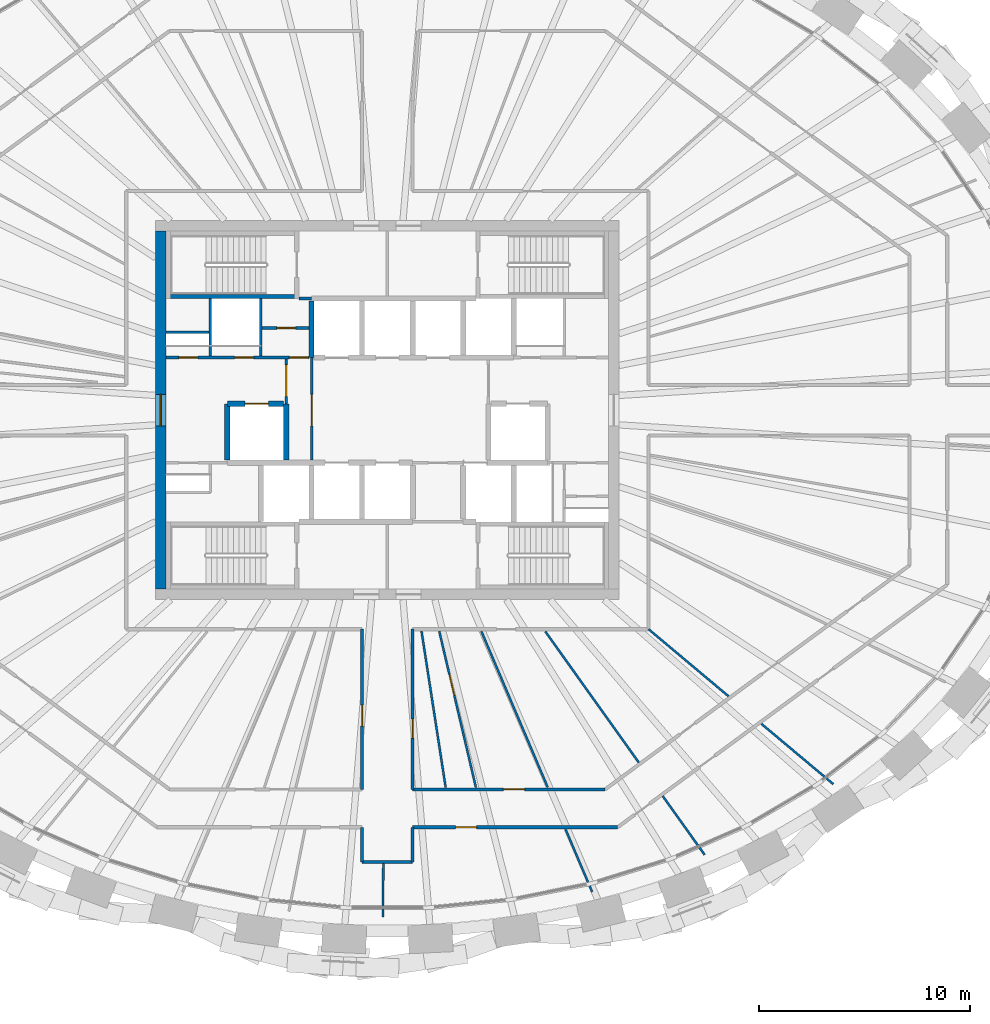
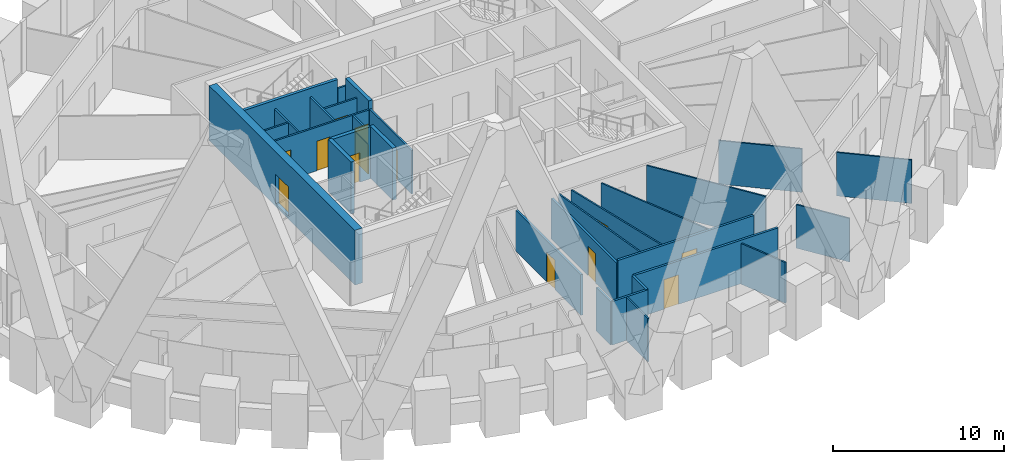
# One storey, part 9 of 15: 30 walls, 13 doors, 13 openings.
"""IFC4 building model written with IfcOpenShell, lengths in metres."""

from ifc_helpers import new_model, si_unit, direction, frame, frame_2d, origin, place, context, subcontext, project, spatial, rectangle, extrude, source, transform, mapped, material, layer, layer_set, type_object, element, fill, save


model = new_model("IFC4")

# Units and contexts
model_context = context("Model", 3, precision=1e-05, world=origin(), true_north=direction((0.0, 1.0)))
body_context = subcontext(model_context, "Body", "Model", "MODEL_VIEW")
ifc_project = project(units=[si_unit("LENGTHUNIT", "METRE"), si_unit("AREAUNIT", "SQUARE_METRE"), si_unit("VOLUMEUNIT", "CUBIC_METRE"), si_unit("PLANEANGLEUNIT", "RADIAN"), si_unit("MASSUNIT", "GRAM", prefix="KILO")], contexts=[model_context])

# Site, building, storey
site_placement = place(None, origin())
site = spatial("IfcSite", under=ifc_project, at=site_placement, CompositionType="ELEMENT")
building_placement = place(site_placement, origin())
building = spatial("IfcBuilding", under=site, at=building_placement, Name="Embergate Tower", CompositionType="ELEMENT")
storey_placement = place(building_placement, frame((0.0, 0.0, 277.300048828125)))
storey = spatial("IfcBuildingStorey", under=building, at=storey_placement, Name="L64", CompositionType="ELEMENT", Elevation=277.300048828125)

# Wall, opening, door
ifc_material_1 = material(Name="Concrete C50", Category="concrete")
ifc_layer_1 = layer(ifc_material_1, 0.5)
ifc_layer_set_1 = layer_set([ifc_layer_1], Name="Concrete C50")
wall_type_1 = type_object("IfcWallType", Name="Core outer wall C50 500", PredefinedType="SHEAR", material=ifc_layer_set_1)
shared_shape_1 = source(origin(), body_context, "Body", "SweptSolid", [
    extrude(rectangle(XDim=17.0, YDim=0.5, at=frame_2d((8.5, 0.0))), origin(), (0.0, 0.0, 1.0), 3.89990234375),
])
wall_1_placement = place(storey_placement, frame((-10.75, -8.5, -0.199951171875), z_axis=(0.0, 0.0, 1.0), x_axis=(0.0, 1.0, 0.0)))
wall_1 = element("IfcWall", 1, at=wall_1_placement, inside=storey, type_object=wall_type_1, Name="CW-L64-W", PredefinedType="SHEAR", context=body_context, shape_type="MappedRepresentation", body=[
    mapped(shared_shape_1, transform((0.0, 0.0, 0.0))),
])
shared_shape_2 = source(origin(), body_context, "Body", "SweptSolid", [
    extrude(rectangle(XDim=1.5, YDim=2.10009765625, at=frame_2d((0.75, 1.050048828125))), frame((0.0, 0.260009765625, 0.0), z_axis=(0.0, -1.0, 0.0), x_axis=(1.0, 0.0, 0.0)), (0.0, 0.0, 1.0), 0.52001953125),
])
opening_1_placement = place(wall_1_placement, frame((7.75, 0.0, 0.199951171875)))
opening_1 = element("IfcOpeningElement", 2, at=opening_1_placement, cuts=wall_1, Name="Opening IF-3", PredefinedType="OPENING", context=body_context, shape_type="MappedRepresentation", body=[
    mapped(shared_shape_2, transform((0.0, 0.0, 0.0))),
])
ifc_material_2 = material(Name="Lobby fire door pair 1500")
door_type_1 = type_object("IfcDoorType", Name="Lobby fire door pair 1500", OperationType="DOUBLE_DOOR_SINGLE_SWING", PredefinedType="DOOR", material=ifc_material_2)
shared_shape_3 = source(origin(), body_context, "Body", "SweptSolid", [
    extrude(rectangle(XDim=1.5, YDim=2.10009765625, at=frame_2d((0.75, 1.050048828125))), frame((0.0, 0.02490234375, 0.0), z_axis=(0.0, -1.0, 0.0), x_axis=(1.0, 0.0, 0.0)), (0.0, 0.0, 1.0), 0.050048828125),
])
door_1_placement = place(opening_1_placement, origin())
door_1 = element("IfcDoor", 3, at=door_1_placement, inside=storey, type_object=door_type_1, Name="IF-3 door", OperationType="DOUBLE_DOOR_SINGLE_SWING", OverallHeight=2.10009765625, OverallWidth=1.5, PredefinedType="DOOR", context=body_context, shape_type="MappedRepresentation", body=[
    mapped(shared_shape_3, transform((0.0, 0.0, 0.0))),
])
fill(opening_1, door_1)

# Walls
ifc_layer_2 = layer(ifc_material_1, 0.25)
ifc_layer_set_2 = layer_set([ifc_layer_2], Name="Concrete C50")
wall_type_2 = type_object("IfcWallType", Name="Hoistway wall reinforced concrete 250", PredefinedType="SHEAR", material=ifc_layer_set_2)
shared_shape_4 = source(origin(), body_context, "Body", "SweptSolid", [
    extrude(rectangle(XDim=2.675048828125, YDim=0.25, at=frame_2d((1.33740234375, 0.0))), origin(), (0.0, 0.0, 1.0), 3.699951171875),
])
for number, where, z_axis, x_axis, name in (
    (4, (-3.60009765625, 5.175048828125, 0.0), (0.0, 0.0, 1.0), (0.0, -1.0, 0.0), "HW-1 wall"),
    (5, (-4.800048828125, 0.300048828125, 0.0), (0.0, 0.0, 1.0), (0.0, -1.0, 0.0), "HW-1 wall"),
):
    element("IfcWall", number, at=place(storey_placement, frame(where, z_axis=z_axis, x_axis=x_axis)), inside=storey, type_object=wall_type_2, Name=name, PredefinedType="SHEAR", context=body_context, shape_type="MappedRepresentation", body=[
        mapped(shared_shape_4, transform((0.0, 0.0, 0.0))),
    ])

# Wall, opening, door
wall_2_placement = place(storey_placement, frame((-4.925048828125, 0.300048828125, 0.0), z_axis=(0.0, 0.0, 1.0), x_axis=(-1.0, 0.0, 0.0)))
wall_2 = element("IfcWall", 6, at=wall_2_placement, inside=storey, type_object=wall_type_2, Name="HW-1 wall", PredefinedType="SHEAR", context=body_context, shape_type="MappedRepresentation", body=[
    mapped(shared_shape_4, transform((0.0, 0.0, 0.0))),
])
shared_shape_5 = source(origin(), body_context, "Body", "SweptSolid", [
    extrude(rectangle(XDim=1.10009765625, YDim=2.10009765625, at=frame_2d((0.550048828125, 1.050048828125))), frame((0.0, 0.135009765625, 0.0), z_axis=(0.0, -1.0, 0.0), x_axis=(1.0, 0.0, 0.0)), (0.0, 0.0, 1.0), 0.27001953125),
])
opening_2_placement = place(wall_2_placement, frame((0.72509765625, 0.0, 0.0)))
opening_2 = element("IfcOpeningElement", 7, at=opening_2_placement, cuts=wall_2, Name="Opening LD", PredefinedType="OPENING", context=body_context, shape_type="MappedRepresentation", body=[
    mapped(shared_shape_5, transform((0.0, 0.0, 0.0))),
])
ifc_material_3 = material(Name="Landing door sliding 1100")
door_type_2 = type_object("IfcDoorType", Name="Landing door sliding 1100", OperationType="SLIDING_TO_LEFT", PredefinedType="DOOR", material=ifc_material_3)
shared_shape_6 = source(origin(), body_context, "Body", "SweptSolid", [
    extrude(rectangle(XDim=1.10009765625, YDim=2.10009765625, at=frame_2d((0.550048828125, 1.050048828125))), frame((0.0, 0.02490234375, 0.0), z_axis=(0.0, -1.0, 0.0), x_axis=(1.0, 0.0, 0.0)), (0.0, 0.0, 1.0), 0.050048828125),
])
door_2_placement = place(opening_2_placement, origin())
door_2 = element("IfcDoor", 8, at=door_2_placement, inside=storey, type_object=door_type_2, Name="LD door", OperationType="SLIDING_TO_RIGHT", OverallHeight=2.10009765625, OverallWidth=1.10009765625, PredefinedType="DOOR", context=body_context, shape_type="MappedRepresentation", body=[
    mapped(shared_shape_6, transform((0.0, 0.0, 0.0))),
])
fill(opening_2, door_2)

# Walls
wall_3_placement = place(storey_placement, frame((-7.60009765625, 0.300048828125, 0.0), z_axis=(0.0, 0.0, 1.0), x_axis=(0.0, -1.0, 0.0)))
element("IfcWall", 9, at=wall_3_placement, inside=storey, type_object=wall_type_2, Name="HW-1 wall", PredefinedType="SHEAR", context=body_context, shape_type="MappedRepresentation", body=[
    mapped(shared_shape_4, transform((0.0, 0.0, 0.0))),
])
ifc_layer_3 = layer(ifc_material_1, 0.199951171875)
ifc_layer_set_3 = layer_set([ifc_layer_3], Name="Concrete C50")
wall_type_3 = type_object("IfcWallType", Name="Stair enclosure wall reinforced concrete 250", PredefinedType="SHEAR", material=ifc_layer_set_3)
shared_shape_7 = source(origin(), body_context, "Body", "SweptSolid", [
    extrude(rectangle(XDim=6.300048828125, YDim=0.199951171875, at=frame_2d((3.14990234375, 0.0))), origin(), (0.0, 0.0, 1.0), 3.699951171875),
])
wall_4_placement = place(storey_placement, frame((-4.199951171875, 5.39990234375, 0.0), z_axis=(0.0, 0.0, 1.0), x_axis=(-1.0, 0.0, 0.0)))
element("IfcWall", 10, at=wall_4_placement, inside=storey, type_object=wall_type_3, Name="SE-1 wall", PredefinedType="SHEAR", context=body_context, shape_type="MappedRepresentation", body=[
    mapped(shared_shape_7, transform((0.0, 0.0, 0.0))),
])
ifc_material_4 = material(Name="Core partition blockwork 120")
ifc_layer_4 = layer(ifc_material_4, 0.1201171875)
ifc_layer_set_4 = layer_set([ifc_layer_4], Name="Core partition blockwork 120")
wall_type_4 = type_object("IfcWallType", Name="Core partition blockwork 120", PredefinedType="PARTITIONING", material=ifc_layer_set_4)
shared_shape_8 = source(origin(), body_context, "Body", "SweptSolid", [
    extrude(rectangle(XDim=2.739990234375, YDim=0.1201171875, at=frame_2d((1.3701171875, 0.0))), origin(), (0.0, 0.0, 1.0), 3.099853515625),
])
wall_5_placement = place(storey_placement, frame((-6.0, 2.56005859375, 0.0), z_axis=(0.0, 0.0, 1.0), x_axis=(0.0, 1.0, 0.0)))
element("IfcWall", 11, at=wall_5_placement, inside=storey, type_object=wall_type_4, Name="IP-3 wall", PredefinedType="PARTITIONING", context=body_context, shape_type="MappedRepresentation", body=[
    mapped(shared_shape_8, transform((0.0, 0.0, 0.0))),
])
ifc_material_5 = material(Name="Corridor wall dry-lined 150")
ifc_layer_5 = layer(ifc_material_5, 0.14990234375)
ifc_layer_set_5 = layer_set([ifc_layer_5], Name="Corridor wall dry-lined 150")
wall_type_5 = type_object("IfcWallType", Name="Corridor wall dry-lined 150", PredefinedType="PARTITIONING", material=ifc_layer_set_5)
shared_shape_9 = source(origin(), body_context, "Body", "SweptSolid", [
    extrude(rectangle(XDim=2.39990234375, YDim=0.14990234375, at=frame_2d((1.199951171875, 0.0))), origin(), (0.0, 0.0, 1.0), 3.099853515625),
])
wall_6_placement = place(storey_placement, frame((1.199951171875, -21.458984375, 0.0), z_axis=(0.0, 0.0, 1.0), x_axis=(-1.0, 0.0, 0.0)))
element("IfcWall", 12, at=wall_6_placement, inside=storey, type_object=wall_type_5, Name="IP-2 wall", PredefinedType="PARTITIONING", context=body_context, shape_type="MappedRepresentation", body=[
    mapped(shared_shape_9, transform((0.0, 0.0, 0.0))),
])

# Wall, openings, doors
shared_shape_10 = source(origin(), body_context, "Body", "SweptSolid", [
    extrude(rectangle(XDim=6.77490234375, YDim=0.1201171875, at=frame_2d((3.387451171875, 0.0))), origin(), (0.0, 0.0, 1.0), 3.099853515625),
])
wall_7_placement = place(storey_placement, frame((-10.5, 2.5, 0.0), z_axis=(0.0, 0.0, 1.0), x_axis=(1.0, 0.0, 0.0)))
wall_7 = element("IfcWall", 13, at=wall_7_placement, inside=storey, type_object=wall_type_4, Name="IP-3 wall", PredefinedType="PARTITIONING", context=body_context, shape_type="MappedRepresentation", body=[
    mapped(shared_shape_10, transform((0.0, 0.0, 0.0))),
])
shared_shape_11 = source(origin(), body_context, "Body", "SweptSolid", [
    extrude(rectangle(XDim=0.89990234375, YDim=2.10009765625, at=frame_2d((0.449951171875, 1.050048828125))), frame((0.0, 0.070068359375, 0.0), z_axis=(0.0, -1.0, 0.0), x_axis=(1.0, 0.0, 0.0)), (0.0, 0.0, 1.0), 0.14013671875),
])
opening_3_placement = place(wall_7_placement, frame((3.25, 0.0, 0.0)))
opening_3 = element("IfcOpeningElement", 14, at=opening_3_placement, cuts=wall_7, Name="Opening ID-1", PredefinedType="OPENING", context=body_context, shape_type="MappedRepresentation", body=[
    mapped(shared_shape_11, transform((0.0, 0.0, 0.0))),
])
opening_4_placement = place(wall_7_placement, frame((5.85009765625, 0.0, 0.0)))
opening_4 = element("IfcOpeningElement", 15, at=opening_4_placement, cuts=wall_7, Name="Opening ID-1", PredefinedType="OPENING", context=body_context, shape_type="MappedRepresentation", body=[
    mapped(shared_shape_11, transform((0.0, 0.0, 0.0))),
])
opening_5_placement = place(wall_7_placement, frame((0.60009765625, 0.0, 0.0)))
opening_5 = element("IfcOpeningElement", 16, at=opening_5_placement, cuts=wall_7, Name="Opening ID-1", PredefinedType="OPENING", context=body_context, shape_type="MappedRepresentation", body=[
    mapped(shared_shape_11, transform((0.0, 0.0, 0.0))),
])
ifc_material_6 = material(Name="Interior door 900")
door_type_3 = type_object("IfcDoorType", Name="Interior door 900", OperationType="SINGLE_SWING_LEFT", PredefinedType="DOOR", material=ifc_material_6)
shared_shape_12 = source(origin(), body_context, "Body", "SweptSolid", [
    extrude(rectangle(XDim=0.89990234375, YDim=2.10009765625, at=frame_2d((0.449951171875, 1.050048828125))), frame((0.0, 0.02490234375, 0.0), z_axis=(0.0, -1.0, 0.0), x_axis=(1.0, 0.0, 0.0)), (0.0, 0.0, 1.0), 0.050048828125),
])
door_3_placement = place(opening_3_placement, origin())
door_3 = element("IfcDoor", 17, at=door_3_placement, inside=storey, type_object=door_type_3, Name="ID-1 door", OperationType="SINGLE_SWING_RIGHT", OverallHeight=2.10009765625, OverallWidth=0.89990234375, PredefinedType="DOOR", context=body_context, shape_type="MappedRepresentation", body=[
    mapped(shared_shape_12, transform((0.0, 0.0, 0.0))),
])
fill(opening_3, door_3)
door_4_placement = place(opening_4_placement, origin())
door_4 = element("IfcDoor", 18, at=door_4_placement, inside=storey, type_object=door_type_3, Name="ID-1 door", OperationType="SINGLE_SWING_RIGHT", OverallHeight=2.10009765625, OverallWidth=0.89990234375, PredefinedType="DOOR", context=body_context, shape_type="MappedRepresentation", body=[
    mapped(shared_shape_12, transform((0.0, 0.0, 0.0))),
])
fill(opening_4, door_4)
door_5_placement = place(opening_5_placement, origin())
door_5 = element("IfcDoor", 19, at=door_5_placement, inside=storey, type_object=door_type_3, Name="ID-1 door", OperationType="SINGLE_SWING_LEFT", OverallHeight=2.10009765625, OverallWidth=0.89990234375, PredefinedType="DOOR", context=body_context, shape_type="MappedRepresentation", body=[
    mapped(shared_shape_12, transform((0.0, 0.0, 0.0))),
])
fill(opening_5, door_5)

# Wall
shared_shape_13 = source(origin(), body_context, "Body", "SweptSolid", [
    extrude(rectangle(XDim=2.738037109375, YDim=0.1201171875, at=frame_2d((1.369140625, 0.0))), origin(), (0.0, 0.0, 1.0), 3.099853515625),
])
wall_8_placement = place(storey_placement, frame((-8.39990234375, 5.298095703125, 0.0), z_axis=(0.0, 0.0, 1.0), x_axis=(0.0, -1.0, 0.0)))
element("IfcWall", 20, at=wall_8_placement, inside=storey, type_object=wall_type_4, Name="IP-3 wall", PredefinedType="PARTITIONING", context=body_context, shape_type="MappedRepresentation", body=[
    mapped(shared_shape_13, transform((0.0, 0.0, 0.0))),
])

# Wall, opening, door
shared_shape_14 = source(origin(), body_context, "Body", "SweptSolid", [
    extrude(rectangle(XDim=4.875, YDim=0.1201171875, at=frame_2d((2.4375, 0.0))), origin(), (0.0, 0.0, 1.0), 3.099853515625),
])
wall_9_placement = place(storey_placement, frame((-3.60009765625, -2.375, 0.0), z_axis=(0.0, 0.0, 1.0), x_axis=(0.0, 1.0, 0.0)))
wall_9 = element("IfcWall", 21, at=wall_9_placement, inside=storey, type_object=wall_type_4, Name="IP-3 wall", PredefinedType="PARTITIONING", context=body_context, shape_type="MappedRepresentation", body=[
    mapped(shared_shape_14, transform((0.0, 0.0, 0.0))),
])
shared_shape_15 = source(origin(), body_context, "Body", "SweptSolid", [
    extrude(rectangle(XDim=1.5, YDim=2.10009765625, at=frame_2d((0.75, 1.050048828125))), frame((0.0, 0.070068359375, 0.0), z_axis=(0.0, -1.0, 0.0), x_axis=(1.0, 0.0, 0.0)), (0.0, 0.0, 1.0), 0.14013671875),
])
opening_6_placement = place(wall_9_placement, frame((1.625, 0.0, 0.0)))
opening_6 = element("IfcOpeningElement", 22, at=opening_6_placement, cuts=wall_9, Name="Opening IF-3", PredefinedType="OPENING", context=body_context, shape_type="MappedRepresentation", body=[
    mapped(shared_shape_15, transform((0.0, 0.0, 0.0))),
])
door_6_placement = place(opening_6_placement, origin())
door_6 = element("IfcDoor", 23, at=door_6_placement, inside=storey, type_object=door_type_1, Name="IF-3 door", OperationType="DOUBLE_DOOR_SINGLE_SWING", OverallHeight=2.10009765625, OverallWidth=1.5, PredefinedType="DOOR", context=body_context, shape_type="MappedRepresentation", body=[
    mapped(shared_shape_3, transform((0.0, 0.0, 0.0))),
])
fill(opening_6, door_6)

shared_shape_16 = source(origin(), body_context, "Body", "SweptSolid", [
    extrude(rectangle(XDim=2.139892578125, YDim=0.1201171875, at=frame_2d((1.06982421875, 0.0))), origin(), (0.0, 0.0, 1.0), 3.099853515625),
])
wall_10_placement = place(storey_placement, frame((-4.800048828125, 2.43994140625, 0.0), z_axis=(0.0, 0.0, 1.0), x_axis=(0.0, -1.0, 0.0)))
wall_10 = element("IfcWall", 24, at=wall_10_placement, inside=storey, type_object=wall_type_4, Name="IP-3 wall", PredefinedType="PARTITIONING", context=body_context, shape_type="MappedRepresentation", body=[
    mapped(shared_shape_16, transform((0.0, 0.0, 0.0))),
])
opening_7_placement = place(wall_10_placement, frame((0.2900390625, 0.0, 0.0)))
opening_7 = element("IfcOpeningElement", 25, at=opening_7_placement, cuts=wall_10, Name="Opening IF-3", PredefinedType="OPENING", context=body_context, shape_type="MappedRepresentation", body=[
    mapped(shared_shape_15, transform((0.0, 0.0, 0.0))),
])
door_7_placement = place(opening_7_placement, origin())
door_7 = element("IfcDoor", 26, at=door_7_placement, inside=storey, type_object=door_type_1, Name="IF-3 door", OperationType="DOUBLE_DOOR_SINGLE_SWING", OverallHeight=2.10009765625, OverallWidth=1.5, PredefinedType="DOOR", context=body_context, shape_type="MappedRepresentation", body=[
    mapped(shared_shape_3, transform((0.0, 0.0, 0.0))),
])
fill(opening_7, door_7)

# Walls
shared_shape_17 = source(origin(), body_context, "Body", "SweptSolid", [
    extrude(rectangle(XDim=0.599853515625, YDim=0.1201171875, at=frame_2d((0.2998046875, 0.0))), origin(), (0.0, 0.0, 1.0), 3.099853515625),
])
wall_11_placement = place(storey_placement, frame((-4.199951171875, 5.300048828125, 0.0), z_axis=(0.0, 0.0, 1.0), x_axis=(1.0, 0.0, 0.0)))
element("IfcWall", 27, at=wall_11_placement, inside=storey, type_object=wall_type_4, Name="IP-3 wall", PredefinedType="PARTITIONING", context=body_context, shape_type="MappedRepresentation", body=[
    mapped(shared_shape_17, transform((0.0, 0.0, 0.0))),
])
shared_shape_18 = source(origin(), body_context, "Body", "SweptSolid", [
    extrude(rectangle(XDim=2.0380859375, YDim=0.1201171875, at=frame_2d((1.01904296875, 0.0))), origin(), (0.0, 0.0, 1.0), 3.099853515625),
])
wall_12_placement = place(storey_placement, frame((-8.4619140625, 3.7041015625, 0.0), z_axis=(0.0, 0.0, 1.0), x_axis=(-1.0, 0.0, 0.0)))
element("IfcWall", 28, at=wall_12_placement, inside=storey, type_object=wall_type_4, Name="IP-3 wall", PredefinedType="PARTITIONING", context=body_context, shape_type="MappedRepresentation", body=[
    mapped(shared_shape_18, transform((0.0, 0.0, 0.0))),
])

# Wall, opening, door
shared_shape_19 = source(origin(), body_context, "Body", "SweptSolid", [
    extrude(rectangle(XDim=7.60205078125, YDim=0.14990234375, at=frame_2d((3.801025390625, 0.0))), origin(), (0.0, 0.0, 1.0), 2.89990234375),
])
wall_13_placement = place(storey_placement, frame((-1.199951171875, -18.001953125, 0.0), z_axis=(0.0, 0.0, 1.0), x_axis=(0.0, 1.0, 0.0)))
wall_13 = element("IfcWall", 29, at=wall_13_placement, inside=storey, type_object=wall_type_5, Name="IP-2 wall", PredefinedType="PARTITIONING", context=body_context, shape_type="MappedRepresentation", body=[
    mapped(shared_shape_19, transform((0.0, 0.0, 0.0))),
])
shared_shape_20 = source(origin(), body_context, "Body", "SweptSolid", [
    extrude(rectangle(XDim=1.0, YDim=2.10009765625, at=frame_2d((0.5, 1.050048828125))), frame((0.0, 0.0849609375, 0.0), z_axis=(0.0, -1.0, 0.0), x_axis=(1.0, 0.0, 0.0)), (0.0, 0.0, 1.0), 0.169921875),
])
opening_8_placement = place(wall_13_placement, frame((3.000732421875, 0.0, 0.0)))
opening_8 = element("IfcOpeningElement", 30, at=opening_8_placement, cuts=wall_13, Name="Opening ID-2", PredefinedType="OPENING", context=body_context, shape_type="MappedRepresentation", body=[
    mapped(shared_shape_20, transform((0.0, 0.0, 0.0))),
])
ifc_material_7 = material(Name="Interior door 1000")
door_type_4 = type_object("IfcDoorType", Name="Interior door 1000", OperationType="SINGLE_SWING_LEFT", PredefinedType="DOOR", material=ifc_material_7)
shared_shape_21 = source(origin(), body_context, "Body", "SweptSolid", [
    extrude(rectangle(XDim=1.0, YDim=2.10009765625, at=frame_2d((0.5, 1.050048828125))), frame((0.0, 0.02490234375, 0.0), z_axis=(0.0, -1.0, 0.0), x_axis=(1.0, 0.0, 0.0)), (0.0, 0.0, 1.0), 0.050048828125),
])
door_8_placement = place(opening_8_placement, origin())
door_8 = element("IfcDoor", 31, at=door_8_placement, inside=storey, type_object=door_type_4, Name="ID-2 door", OperationType="SINGLE_SWING_RIGHT", OverallHeight=2.10009765625, OverallWidth=1.0, PredefinedType="DOOR", context=body_context, shape_type="MappedRepresentation", body=[
    mapped(shared_shape_21, transform((0.0, 0.0, 0.0))),
])
fill(opening_8, door_8)

wall_14_placement = place(storey_placement, frame((1.199951171875, -10.39990234375, 0.0), z_axis=(0.0, 0.0, 1.0), x_axis=(0.0, -1.0, 0.0)))
wall_14 = element("IfcWall", 32, at=wall_14_placement, inside=storey, type_object=wall_type_5, Name="IP-2 wall", PredefinedType="PARTITIONING", context=body_context, shape_type="MappedRepresentation", body=[
    mapped(shared_shape_19, transform((0.0, 0.0, 0.0))),
])
shared_shape_22 = source(origin(), body_context, "Body", "SweptSolid", [
    extrude(rectangle(XDim=0.89990234375, YDim=2.10009765625, at=frame_2d((0.449951171875, 1.050048828125))), frame((0.0, 0.0849609375, 0.0), z_axis=(0.0, -1.0, 0.0), x_axis=(1.0, 0.0, 0.0)), (0.0, 0.0, 1.0), 0.169921875),
])
opening_9_placement = place(wall_14_placement, frame((4.26611328125, 0.0, 0.0)))
opening_9 = element("IfcOpeningElement", 33, at=opening_9_placement, cuts=wall_14, Name="Opening IF-1c", PredefinedType="OPENING", context=body_context, shape_type="MappedRepresentation", body=[
    mapped(shared_shape_22, transform((0.0, 0.0, 0.0))),
])
ifc_material_8 = material(Name="Escape fire door 900")
door_type_5 = type_object("IfcDoorType", Name="Escape fire door 900", OperationType="SINGLE_SWING_LEFT", PredefinedType="DOOR", material=ifc_material_8)
door_9_placement = place(opening_9_placement, origin())
door_9 = element("IfcDoor", 34, at=door_9_placement, inside=storey, type_object=door_type_5, Name="IF-1 door", OperationType="SINGLE_SWING_RIGHT", OverallHeight=2.10009765625, OverallWidth=0.89990234375, PredefinedType="DOOR", context=body_context, shape_type="MappedRepresentation", body=[
    mapped(shared_shape_12, transform((0.0, 0.0, 0.0))),
])
fill(opening_9, door_9)

# Walls
ifc_material_9 = material(Name="Partition dry-lined 100 wet")
ifc_layer_6 = layer(ifc_material_9, 0.10009765625)
ifc_layer_set_6 = layer_set([ifc_layer_6], Name="Partition dry-lined 100 wet")
wall_type_6 = type_object("IfcWallType", Name="Partition dry-lined 100 wet", PredefinedType="PLUMBINGWALL", material=ifc_layer_set_6)
shared_shape_23 = source(origin(), body_context, "Body", "SweptSolid", [
    extrude(rectangle(XDim=3.234619140625, YDim=0.10009765625, at=frame_2d((1.6171875, 0.0))), origin(), (0.0, 0.0, 1.0), 2.89990234375),
])
wall_15_placement = place(storey_placement, frame((9.721923828125, -22.873046875, 0.0), z_axis=(0.0, 0.0, 1.0), x_axis=(-0.391047939918, 0.920370310628, 0.0)))
element("IfcWall", 35, at=wall_15_placement, inside=storey, type_object=wall_type_6, Name="IP-1 wall", PredefinedType="PLUMBINGWALL", context=body_context, shape_type="MappedRepresentation", body=[
    mapped(shared_shape_23, transform((0.0, 0.0, 0.0))),
])
shared_shape_24 = source(origin(), body_context, "Body", "SweptSolid", [
    extrude(rectangle(XDim=8.053955078125, YDim=0.10009765625, at=frame_2d((4.02685546875, 0.0))), origin(), (0.0, 0.0, 1.0), 2.89990234375),
])
wall_16_placement = place(storey_placement, frame((7.612060546875, -17.906982421875, 0.0), z_axis=(0.0, 0.0, 1.0), x_axis=(-0.391254252204, 0.920282625139, 0.0)))
element("IfcWall", 36, at=wall_16_placement, inside=storey, type_object=wall_type_6, Name="IP-1 wall", PredefinedType="PLUMBINGWALL", context=body_context, shape_type="MappedRepresentation", body=[
    mapped(shared_shape_24, transform((0.0, 0.0, 0.0))),
])

# Wall, opening, door
shared_shape_25 = source(origin(), body_context, "Body", "SweptSolid", [
    extrude(rectangle(XDim=9.733154296875, YDim=0.14990234375, at=frame_2d((4.86669921875, 0.0))), origin(), (0.0, 0.0, 1.0), 3.099853515625),
])
wall_17_placement = place(storey_placement, frame((10.93310546875, -19.802001953125, 0.0), z_axis=(0.0, 0.0, 1.0), x_axis=(-1.0, 0.0, 0.0)))
wall_17 = element("IfcWall", 37, at=wall_17_placement, inside=storey, type_object=wall_type_5, Name="IP-2 wall", PredefinedType="PARTITIONING", context=body_context, shape_type="MappedRepresentation", body=[
    mapped(shared_shape_25, transform((0.0, 0.0, 0.0))),
])
opening_10_placement = place(wall_17_placement, frame((6.69189453125, 0.0, 0.0)))
opening_10 = element("IfcOpeningElement", 38, at=opening_10_placement, cuts=wall_17, Name="Opening ID-2", PredefinedType="OPENING", context=body_context, shape_type="MappedRepresentation", body=[
    mapped(shared_shape_20, transform((0.0, 0.0, 0.0))),
])
door_10_placement = place(opening_10_placement, origin())
door_10 = element("IfcDoor", 39, at=door_10_placement, inside=storey, type_object=door_type_4, Name="ID-2 door", OperationType="SINGLE_SWING_LEFT", OverallHeight=2.10009765625, OverallWidth=1.0, PredefinedType="DOOR", context=body_context, shape_type="MappedRepresentation", body=[
    mapped(shared_shape_21, transform((0.0, 0.0, 0.0))),
])
fill(opening_10, door_10)

shared_shape_26 = source(origin(), body_context, "Body", "SweptSolid", [
    extrude(rectangle(XDim=9.14208984375, YDim=0.14990234375, at=frame_2d((4.571044921875, 0.0))), origin(), (0.0, 0.0, 1.0), 3.099853515625),
])
wall_18_placement = place(storey_placement, frame((1.199951171875, -18.001953125, 0.0), z_axis=(0.0, 0.0, 1.0), x_axis=(1.0, 0.0, 0.0)))
wall_18 = element("IfcWall", 40, at=wall_18_placement, inside=storey, type_object=wall_type_5, Name="IP-2 wall", PredefinedType="PARTITIONING", context=body_context, shape_type="MappedRepresentation", body=[
    mapped(shared_shape_26, transform((0.0, 0.0, 0.0))),
])
opening_11_placement = place(wall_18_placement, frame((4.31103515625, 0.0, 0.0)))
opening_11 = element("IfcOpeningElement", 41, at=opening_11_placement, cuts=wall_18, Name="Opening ID-2", PredefinedType="OPENING", context=body_context, shape_type="MappedRepresentation", body=[
    mapped(shared_shape_20, transform((0.0, 0.0, 0.0))),
])
door_11_placement = place(opening_11_placement, origin())
door_11 = element("IfcDoor", 42, at=door_11_placement, inside=storey, type_object=door_type_4, Name="ID-2 door", OperationType="SINGLE_SWING_LEFT", OverallHeight=2.10009765625, OverallWidth=1.0, PredefinedType="DOOR", context=body_context, shape_type="MappedRepresentation", body=[
    mapped(shared_shape_21, transform((0.0, 0.0, 0.0))),
])
fill(opening_11, door_11)

# Walls
shared_shape_27 = source(origin(), body_context, "Body", "SweptSolid", [
    extrude(rectangle(XDim=1.656982421875, YDim=0.14990234375, at=frame_2d((0.82861328125, 0.0))), origin(), (0.0, 0.0, 1.0), 3.099853515625),
])
for number, where, z_axis, x_axis, name in (
    (43, (-1.199951171875, -21.458984375, 0.0), (0.0, 0.0, 1.0), (0.0, 1.0, 0.0), "IP-2 wall"),
    (44, (1.199951171875, -19.802001953125, 0.0), (0.0, 0.0, 1.0), (0.0, -1.0, 0.0), "IP-2 wall"),
):
    element("IfcWall", number, at=place(storey_placement, frame(where, z_axis=z_axis, x_axis=x_axis)), inside=storey, type_object=wall_type_5, Name=name, PredefinedType="PARTITIONING", context=body_context, shape_type="MappedRepresentation", body=[
        mapped(shared_shape_27, transform((0.0, 0.0, 0.0))),
    ])
ifc_material_10 = material(Name="Partition dry-lined 100")
ifc_layer_7 = layer(ifc_material_10, 0.10009765625)
ifc_layer_set_7 = layer_set([ifc_layer_7], Name="Partition dry-lined 100")
wall_type_7 = type_object("IfcWallType", Name="Partition dry-lined 100", PredefinedType="PARTITIONING", material=ifc_layer_set_7)
shared_shape_28 = source(origin(), body_context, "Body", "SweptSolid", [
    extrude(rectangle(XDim=2.52001953125, YDim=0.10009765625, at=frame_2d((1.260009765625, 0.0))), origin(), (0.0, 0.0, 1.0), 3.099853515625),
])
wall_19_placement = place(storey_placement, frame((-0.19091796875, -21.533935546875, 0.0), z_axis=(0.0, 0.0, 1.0), x_axis=(-0.008718909035, -0.99996198959, 0.0)))
element("IfcWall", 45, at=wall_19_placement, inside=storey, type_object=wall_type_7, Name="IP-1 wall", PredefinedType="PARTITIONING", context=body_context, shape_type="MappedRepresentation", body=[
    mapped(shared_shape_28, transform((0.0, 0.0, 0.0))),
])
shared_shape_29 = source(origin(), body_context, "Body", "SweptSolid", [
    extrude(rectangle(XDim=7.524169921875, YDim=0.10009765625, at=frame_2d((3.76220703125, 0.0))), origin(), (0.0, 0.0, 1.0), 3.099853515625),
])
wall_20_placement = place(storey_placement, frame((1.6201171875, -10.48291015625, 0.0), z_axis=(0.0, 0.0, 1.0), x_axis=(0.152695966135, -0.988273212187, 0.0)))
element("IfcWall", 46, at=wall_20_placement, inside=storey, type_object=wall_type_7, Name="IP-1 wall", PredefinedType="PARTITIONING", context=body_context, shape_type="MappedRepresentation", body=[
    mapped(shared_shape_29, transform((0.0, 0.0, 0.0))),
])

# Wall, opening, door
shared_shape_30 = source(origin(), body_context, "Body", "SweptSolid", [
    extrude(rectangle(XDim=7.630859375, YDim=0.10009765625, at=frame_2d((3.8154296875, 0.0))), origin(), (0.0, 0.0, 1.0), 3.099853515625),
])
wall_21_placement = place(storey_placement, frame((2.4609375, -10.486083984375, 0.0), z_axis=(0.0, 0.0, 1.0), x_axis=(0.228561397008, -0.973529500219, 0.0)))
wall_21 = element("IfcWall", 47, at=wall_21_placement, inside=storey, type_object=wall_type_7, Name="IP-1 wall", PredefinedType="PARTITIONING", context=body_context, shape_type="MappedRepresentation", body=[
    mapped(shared_shape_30, transform((0.0, 0.0, 0.0))),
])
shared_shape_31 = source(origin(), body_context, "Body", "SweptSolid", [
    extrude(rectangle(XDim=1.0, YDim=2.10009765625, at=frame_2d((0.5, 1.050048828125))), frame((0.0, 0.06005859375, 0.0), z_axis=(0.0, -1.0, 0.0), x_axis=(1.0, 0.0, 0.0)), (0.0, 0.0, 1.0), 0.1201171875),
])
opening_12_placement = place(wall_21_placement, frame((2.135498046875, 0.0, 0.0)))
opening_12 = element("IfcOpeningElement", 48, at=opening_12_placement, cuts=wall_21, Name="Opening ID-2", PredefinedType="OPENING", context=body_context, shape_type="MappedRepresentation", body=[
    mapped(shared_shape_31, transform((0.0, 0.0, 0.0))),
])
door_12_placement = place(opening_12_placement, origin())
door_12 = element("IfcDoor", 49, at=door_12_placement, inside=storey, type_object=door_type_4, Name="ID-2 door", OperationType="SINGLE_SWING_LEFT", OverallHeight=2.10009765625, OverallWidth=1.0, PredefinedType="DOOR", context=body_context, shape_type="MappedRepresentation", body=[
    mapped(shared_shape_21, transform((0.0, 0.0, 0.0))),
])
fill(opening_12, door_12)

# Walls
shared_shape_32 = source(origin(), body_context, "Body", "SweptSolid", [
    extrude(rectangle(XDim=3.422607421875, YDim=0.10009765625, at=frame_2d((1.71142578125, 0.0))), origin(), (0.0, 0.0, 1.0), 3.099853515625),
])
wall_22_placement = place(storey_placement, frame((13.072021484375, -18.320068359375, 0.0), z_axis=(0.0, 0.0, 1.0), x_axis=(0.58087375304, -0.81399366277, 0.0)))
element("IfcWall", 50, at=wall_22_placement, inside=storey, type_object=wall_type_6, Name="IP-1 wall", PredefinedType="PLUMBINGWALL", context=body_context, shape_type="MappedRepresentation", body=[
    mapped(shared_shape_32, transform((0.0, 0.0, 0.0))),
])
shared_shape_33 = source(origin(), body_context, "Body", "SweptSolid", [
    extrude(rectangle(XDim=4.459716796875, YDim=0.10009765625, at=frame_2d((2.22998046875, 0.0))), origin(), (0.0, 0.0, 1.0), 3.099853515625),
])
wall_23_placement = place(storey_placement, frame((17.75390625, -14.888916015625, 0.0), z_axis=(0.0, 0.0, 1.0), x_axis=(0.766180239973, -0.642625738571, 0.0)))
element("IfcWall", 51, at=wall_23_placement, inside=storey, type_object=wall_type_6, Name="IP-1 wall", PredefinedType="PLUMBINGWALL", context=body_context, shape_type="MappedRepresentation", body=[
    mapped(shared_shape_33, transform((0.0, 0.0, 0.0))),
])
shared_shape_34 = source(origin(), body_context, "Body", "SweptSolid", [
    extrude(rectangle(XDim=7.65234375, YDim=0.10009765625, at=frame_2d((3.826171875, 0.0))), origin(), (0.0, 0.0, 1.0), 3.099853515625),
])
wall_24_placement = place(storey_placement, frame((7.4951171875, -10.50390625, 0.0), z_axis=(0.0, 0.0, 1.0), x_axis=(0.580851826086, -0.81400930961, 0.0)))
element("IfcWall", 52, at=wall_24_placement, inside=storey, type_object=wall_type_6, Name="IP-1 wall", PredefinedType="PLUMBINGWALL", context=body_context, shape_type="MappedRepresentation", body=[
    mapped(shared_shape_34, transform((0.0, 0.0, 0.0))),
])
shared_shape_35 = source(origin(), body_context, "Body", "SweptSolid", [
    extrude(rectangle(XDim=4.956787109375, YDim=0.10009765625, at=frame_2d((2.478515625, 0.0))), origin(), (0.0, 0.0, 1.0), 3.099853515625),
])
wall_25_placement = place(storey_placement, frame((12.39990234375, -10.39892578125, 0.0), z_axis=(0.0, 0.0, 1.0), x_axis=(0.766235348902, -0.642560028397, 0.0)))
element("IfcWall", 53, at=wall_25_placement, inside=storey, type_object=wall_type_6, Name="IP-1 wall", PredefinedType="PLUMBINGWALL", context=body_context, shape_type="MappedRepresentation", body=[
    mapped(shared_shape_35, transform((0.0, 0.0, 0.0))),
])

# Wall, opening, door
shared_shape_36 = source(origin(), body_context, "Body", "SweptSolid", [
    extrude(rectangle(XDim=2.21484375, YDim=0.1201171875, at=frame_2d((1.107421875, 0.0))), origin(), (0.0, 0.0, 1.0), 3.099853515625),
])
wall_26_placement = place(storey_placement, frame((-3.72509765625, 3.89990234375, 0.0), z_axis=(0.0, 0.0, 1.0), x_axis=(-1.0, 0.0, 0.0)))
wall_26 = element("IfcWall", 54, at=wall_26_placement, inside=storey, type_object=wall_type_4, Name="IP-3 wall", PredefinedType="PARTITIONING", context=body_context, shape_type="MappedRepresentation", body=[
    mapped(shared_shape_36, transform((0.0, 0.0, 0.0))),
])
opening_13_placement = place(wall_26_placement, frame((0.625, 0.0, 0.0)))
opening_13 = element("IfcOpeningElement", 55, at=opening_13_placement, cuts=wall_26, Name="Opening ID-1", PredefinedType="OPENING", context=body_context, shape_type="MappedRepresentation", body=[
    mapped(shared_shape_11, transform((0.0, 0.0, 0.0))),
])
door_13_placement = place(opening_13_placement, origin())
door_13 = element("IfcDoor", 56, at=door_13_placement, inside=storey, type_object=door_type_3, Name="ID-1 door", OperationType="SINGLE_SWING_LEFT", OverallHeight=2.10009765625, OverallWidth=0.89990234375, PredefinedType="DOOR", context=body_context, shape_type="MappedRepresentation", body=[
    mapped(shared_shape_12, transform((0.0, 0.0, 0.0))),
])
fill(opening_13, door_13)

save(model, "model.ifc")
